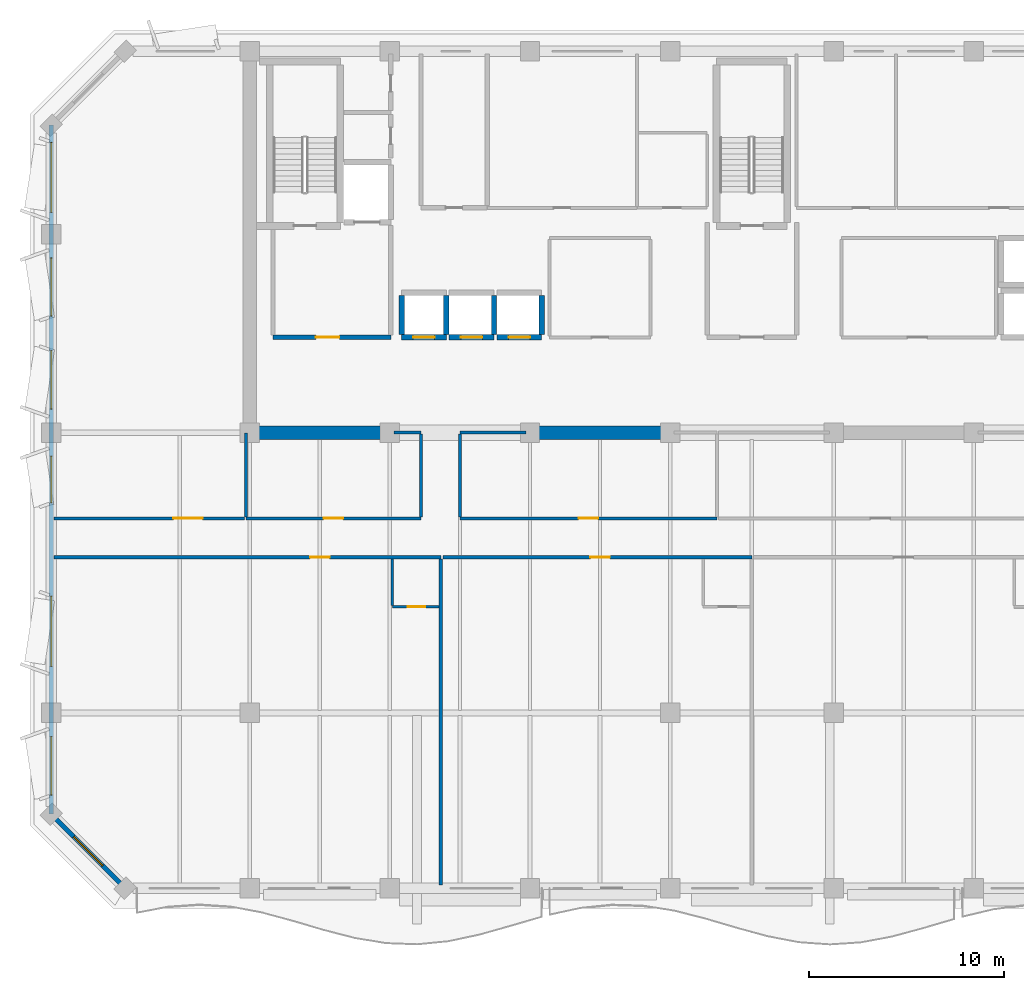
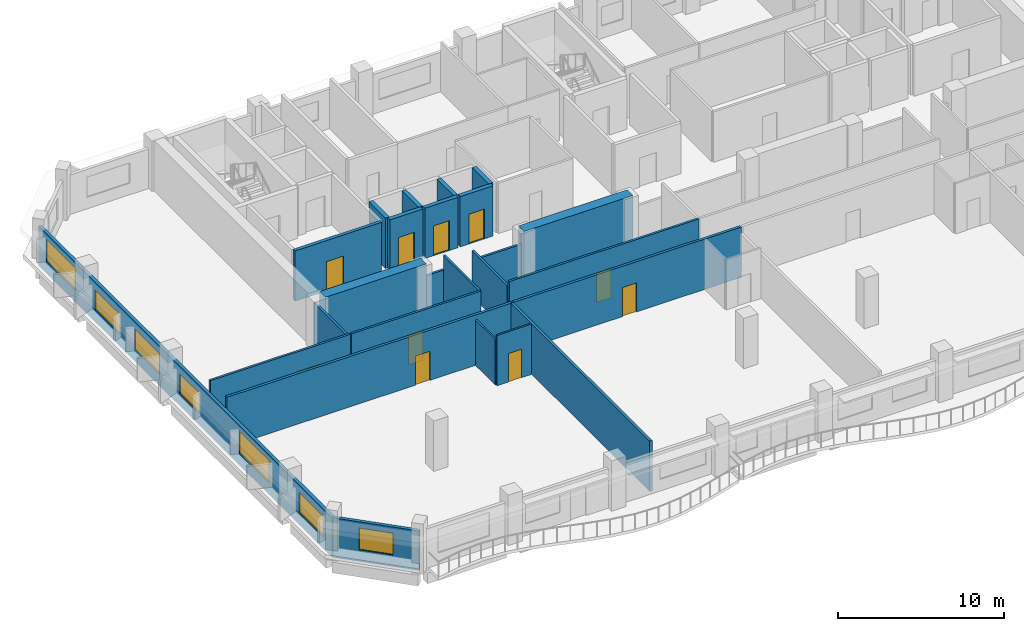
# One storey, part 3 of 11: 25 walls, 10 doors, 7 windows, 17 openings.
"""IFC4 building model written with IfcOpenShell, lengths in metres."""

from ifc_helpers import new_model, si_unit, direction, frame, frame_2d, origin, place, context, subcontext, project, spatial, rectangle, extrude, material, layer, layer_set, type_object, element, fill, save


model = new_model("IFC4")

# Units and contexts
model_context = context("Model", 3, precision=1e-05, world=origin(), true_north=direction((0.0, 1.0)))
body_context = subcontext(model_context, "Body", "Model", "MODEL_VIEW")
ifc_project = project(units=[si_unit("LENGTHUNIT", "METRE"), si_unit("AREAUNIT", "SQUARE_METRE"), si_unit("VOLUMEUNIT", "CUBIC_METRE"), si_unit("PLANEANGLEUNIT", "RADIAN"), si_unit("MASSUNIT", "GRAM", prefix="KILO")], contexts=[model_context])

# Site, building, storey
site_placement = place(None, origin())
site = spatial("IfcSite", under=ifc_project, at=site_placement, CompositionType="ELEMENT")
building_placement = place(site_placement, origin())
building = spatial("IfcBuilding", under=site, at=building_placement, Name="Kaelvorn Grand Hotel", CompositionType="ELEMENT")
storey_placement = place(building_placement, frame((0.0, 0.0, 272.60009765625)))
storey = spatial("IfcBuildingStorey", under=building, at=storey_placement, Name="L67", CompositionType="ELEMENT", Elevation=272.60009765625)

# Walls
ifc_material_1 = material(Name="Concrete C50/60", Category="concrete")
ifc_layer_1 = layer(ifc_material_1, 0.699951171875)
ifc_layer_set_1 = layer_set([ifc_layer_1], Name="Concrete C50/60")
wall_type_1 = type_object("IfcWallType", Name="WL-CORE-700-C50", PredefinedType="SHEAR", material=ifc_layer_set_1)
wall_1_placement = place(storey_placement, frame((16.554931640625, 29.39990234375, 0.0), z_axis=(0.0, 0.0, 1.0), x_axis=(1.0, 0.0, 0.0)))
element("IfcWall", 1, at=wall_1_placement, inside=storey, type_object=wall_type_1, Name="L67 Rear-Core Coupled Shear Pier S1", PredefinedType="SHEAR", context=body_context, shape_type="SweptSolid", body=[
    extrude(rectangle(XDim=7.045166015625, YDim=0.699951171875, at=frame_2d((3.5224609375, 0.0))), origin(), (0.0, 0.0, 1.0), 3.7099609375),
])
wall_2_placement = place(storey_placement, frame((30.39990234375, 29.39990234375, 0.0), z_axis=(0.0, 0.0, 1.0), x_axis=(1.0, 0.0, 0.0)))
element("IfcWall", 2, at=wall_2_placement, inside=storey, type_object=wall_type_1, Name="L67 Rear-Core Coupled Shear Pier S2", PredefinedType="SHEAR", context=body_context, shape_type="SweptSolid", body=[
    extrude(rectangle(XDim=7.60009765625, YDim=0.699951171875, at=frame_2d((3.800048828125, 0.0))), origin(), (0.0, 0.0, 1.0), 3.7099609375),
])

# Wall, openings, windows
ifc_material_2 = material(Name="Concrete C40/50", Category="concrete")
ifc_layer_2 = layer(ifc_material_2, 0.219970703125)
ifc_layer_set_2 = layer_set([ifc_layer_2], Name="Concrete C40/50")
wall_type_2 = type_object("IfcWallType", Name="WL-EXT-220-C40", PredefinedType="SOLIDWALL", material=ifc_layer_set_2)
wall_3_placement = place(storey_placement, frame((6.0, 45.199951171875, 0.0), z_axis=(0.0, 0.0, 1.0), x_axis=(0.0, -1.0, 0.0)))
wall_3 = element("IfcWall", 3, at=wall_3_placement, inside=storey, type_object=wall_type_2, Name="L67 Exterior Architectural Concrete Wall 07", PredefinedType="SOLIDWALL", context=body_context, shape_type="SweptSolid", body=[
    extrude(rectangle(XDim=35.39990234375, YDim=0.219970703125, at=frame_2d((17.699951171875, 0.0))), origin(), (0.0, 0.0, 1.0), 2.909912109375),
])
opening_1_placement = place(wall_3_placement, frame((31.4150390625, 0.0, 0.85009765625)))
opening_1 = element("IfcOpeningElement", 4, at=opening_1_placement, cuts=wall_3, Name="Opening W5", PredefinedType="OPENING", context=body_context, shape_type="SweptSolid", body=[
    extrude(rectangle(XDim=3.0, YDim=1.5, at=frame_2d((1.5, 0.75))), frame((0.0, 0.1201171875, 0.0), z_axis=(0.0, -1.0, 0.0), x_axis=(1.0, 0.0, 0.0)), (0.0, 0.0, 1.0), 0.239990234375),
])
opening_2_placement = place(wall_3_placement, frame((24.199951171875, 0.0, 0.85009765625)))
opening_2 = element("IfcOpeningElement", 5, at=opening_2_placement, cuts=wall_3, Name="Opening W3", PredefinedType="OPENING", context=body_context, shape_type="SweptSolid", body=[
    extrude(rectangle(XDim=3.60009765625, YDim=1.64990234375, at=frame_2d((1.800048828125, 0.824951171875))), frame((0.0, 0.1201171875, 0.0), z_axis=(0.0, -1.0, 0.0), x_axis=(1.0, 0.0, 0.0)), (0.0, 0.0, 1.0), 0.239990234375),
])
opening_3_placement = place(wall_3_placement, frame((17.0, 0.0, 0.85009765625)))
opening_3 = element("IfcOpeningElement", 6, at=opening_3_placement, cuts=wall_3, Name="Opening W6", PredefinedType="OPENING", context=body_context, shape_type="SweptSolid", body=[
    extrude(rectangle(XDim=2.39990234375, YDim=1.5, at=frame_2d((1.199951171875, 0.75))), frame((0.0, 0.1201171875, 0.0), z_axis=(0.0, -1.0, 0.0), x_axis=(1.0, 0.0, 0.0)), (0.0, 0.0, 1.0), 0.239990234375),
])
opening_4_placement = place(wall_3_placement, frame((11.5849609375, 0.0, 0.85009765625)))
opening_4 = element("IfcOpeningElement", 7, at=opening_4_placement, cuts=wall_3, Name="Opening W5", PredefinedType="OPENING", context=body_context, shape_type="SweptSolid", body=[
    extrude(rectangle(XDim=3.0, YDim=1.5, at=frame_2d((1.5, 0.75))), frame((0.0, 0.1201171875, 0.0), z_axis=(0.0, -1.0, 0.0), x_axis=(1.0, 0.0, 0.0)), (0.0, 0.0, 1.0), 0.239990234375),
])
opening_5_placement = place(wall_3_placement, frame((6.81494140625, 0.0, 0.85009765625)))
opening_5 = element("IfcOpeningElement", 8, at=opening_5_placement, cuts=wall_3, Name="Opening W5", PredefinedType="OPENING", context=body_context, shape_type="SweptSolid", body=[
    extrude(rectangle(XDim=3.0, YDim=1.5, at=frame_2d((1.5, 0.75))), frame((0.0, 0.1201171875, 0.0), z_axis=(0.0, -1.0, 0.0), x_axis=(1.0, 0.0, 0.0)), (0.0, 0.0, 1.0), 0.239990234375),
])
opening_6_placement = place(wall_3_placement, frame((0.885009765625, 0.0, 0.85009765625)))
opening_6 = element("IfcOpeningElement", 9, at=opening_6_placement, cuts=wall_3, Name="Opening W3", PredefinedType="OPENING", context=body_context, shape_type="SweptSolid", body=[
    extrude(rectangle(XDim=3.60009765625, YDim=1.64990234375, at=frame_2d((1.800048828125, 0.824951171875))), frame((0.0, 0.1201171875, 0.0), z_axis=(0.0, -1.0, 0.0), x_axis=(1.0, 0.0, 0.0)), (0.0, 0.0, 1.0), 0.239990234375),
])
ifc_material_3 = material(Name="Laminated Low-E Glass", Category="glass")
window_type_1 = type_object("IfcWindowType", Name="WIN-NTH-2400x1500", PartitioningType="SINGLE_PANEL", PredefinedType="WINDOW", material=ifc_material_3)
window_1_placement = place(opening_3_placement, origin())
window_1 = element("IfcWindow", 10, at=window_1_placement, inside=storey, type_object=window_type_1, Name="L67 W Wing Tilted-Frame Ribbon Window W03", OverallHeight=1.5, OverallWidth=2.39990234375, PartitioningType="SINGLE_PANEL", PredefinedType="WINDOW", context=body_context, shape_type="SweptSolid", body=[
    extrude(rectangle(XDim=2.39990234375, YDim=1.5, at=frame_2d((1.199951171875, 0.75))), frame((0.0, 0.030029296875, 0.0), z_axis=(0.0, -1.0, 0.0), x_axis=(1.0, 0.0, 0.0)), (0.0, 0.0, 1.0), 0.06005859375),
])
fill(opening_3, window_1)
window_type_2 = type_object("IfcWindowType", Name="WIN-NTH-3000x1500", PartitioningType="SINGLE_PANEL", PredefinedType="WINDOW", material=ifc_material_3)
window_2_placement = place(opening_1_placement, origin())
window_2 = element("IfcWindow", 11, at=window_2_placement, inside=storey, type_object=window_type_2, Name="L67 W Wing Tilted-Frame Ribbon Window W01", OverallHeight=1.5, OverallWidth=3.0, PartitioningType="SINGLE_PANEL", PredefinedType="WINDOW", context=body_context, shape_type="SweptSolid", body=[
    extrude(rectangle(XDim=3.0, YDim=1.5, at=frame_2d((1.5, 0.75))), frame((0.0, 0.030029296875, 0.0), z_axis=(0.0, -1.0, 0.0), x_axis=(1.0, 0.0, 0.0)), (0.0, 0.0, 1.0), 0.06005859375),
])
fill(opening_1, window_2)
window_3_placement = place(opening_4_placement, origin())
window_3 = element("IfcWindow", 12, at=window_3_placement, inside=storey, type_object=window_type_2, Name="L67 W Wing Tilted-Frame Ribbon Window W04", OverallHeight=1.5, OverallWidth=3.0, PartitioningType="SINGLE_PANEL", PredefinedType="WINDOW", context=body_context, shape_type="SweptSolid", body=[
    extrude(rectangle(XDim=3.0, YDim=1.5, at=frame_2d((1.5, 0.75))), frame((0.0, 0.030029296875, 0.0), z_axis=(0.0, -1.0, 0.0), x_axis=(1.0, 0.0, 0.0)), (0.0, 0.0, 1.0), 0.06005859375),
])
fill(opening_4, window_3)
window_4_placement = place(opening_5_placement, origin())
window_4 = element("IfcWindow", 13, at=window_4_placement, inside=storey, type_object=window_type_2, Name="L67 W Wing Tilted-Frame Ribbon Window W05", OverallHeight=1.5, OverallWidth=3.0, PartitioningType="SINGLE_PANEL", PredefinedType="WINDOW", context=body_context, shape_type="SweptSolid", body=[
    extrude(rectangle(XDim=3.0, YDim=1.5, at=frame_2d((1.5, 0.75))), frame((0.0, 0.030029296875, 0.0), z_axis=(0.0, -1.0, 0.0), x_axis=(1.0, 0.0, 0.0)), (0.0, 0.0, 1.0), 0.06005859375),
])
fill(opening_5, window_4)
window_type_3 = type_object("IfcWindowType", Name="WIN-RIB-3600x1750", PartitioningType="SINGLE_PANEL", PredefinedType="WINDOW", material=ifc_material_3)
window_5_placement = place(opening_2_placement, origin())
window_5 = element("IfcWindow", 14, at=window_5_placement, inside=storey, type_object=window_type_3, Name="L67 W Wing Tilted-Frame Ribbon Window W02", OverallHeight=1.64990234375, OverallWidth=3.60009765625, PartitioningType="SINGLE_PANEL", PredefinedType="WINDOW", context=body_context, shape_type="SweptSolid", body=[
    extrude(rectangle(XDim=3.60009765625, YDim=1.64990234375, at=frame_2d((1.800048828125, 0.824951171875))), frame((0.0, 0.030029296875, 0.0), z_axis=(0.0, -1.0, 0.0), x_axis=(1.0, 0.0, 0.0)), (0.0, 0.0, 1.0), 0.06005859375),
])
fill(opening_2, window_5)
window_6_placement = place(opening_6_placement, origin())
window_6 = element("IfcWindow", 15, at=window_6_placement, inside=storey, type_object=window_type_3, Name="L67 W Wing Tilted-Frame Ribbon Window W06", OverallHeight=1.64990234375, OverallWidth=3.60009765625, PartitioningType="SINGLE_PANEL", PredefinedType="WINDOW", context=body_context, shape_type="SweptSolid", body=[
    extrude(rectangle(XDim=3.60009765625, YDim=1.64990234375, at=frame_2d((1.800048828125, 0.824951171875))), frame((0.0, 0.030029296875, 0.0), z_axis=(0.0, -1.0, 0.0), x_axis=(1.0, 0.0, 0.0)), (0.0, 0.0, 1.0), 0.06005859375),
])
fill(opening_6, window_6)

# Wall, opening, window
wall_4_placement = place(storey_placement, frame((6.0, 9.800048828125, 0.0), z_axis=(0.0, 0.0, 1.0), x_axis=(0.707106781187, -0.707106781187, 0.0)))
wall_4 = element("IfcWall", 16, at=wall_4_placement, inside=storey, type_object=wall_type_2, Name="L67 Exterior Architectural Concrete Wall 08", PredefinedType="SOLIDWALL", context=body_context, shape_type="SweptSolid", body=[
    extrude(rectangle(XDim=5.3740234375, YDim=0.219970703125, at=frame_2d((2.68701171875, 0.0))), origin(), (0.0, 0.0, 1.0), 2.909912109375),
])
opening_7_placement = place(wall_4_placement, frame((1.636962890625, 0.0, 0.85009765625)))
opening_7 = element("IfcOpeningElement", 17, at=opening_7_placement, cuts=wall_4, Name="Opening W7", PredefinedType="OPENING", context=body_context, shape_type="SweptSolid", body=[
    extrude(rectangle(XDim=2.10009765625, YDim=1.60009765625, at=frame_2d((1.050048828125, 0.800048828125))), frame((0.0, 0.1201171875, 0.0), z_axis=(0.0, -1.0, 0.0), x_axis=(1.0, 0.0, 0.0)), (0.0, 0.0, 1.0), 0.239990234375),
])
window_type_4 = type_object("IfcWindowType", Name="WIN-CHM-2100x1600", PartitioningType="SINGLE_PANEL", PredefinedType="WINDOW", material=ifc_material_3)
window_7_placement = place(opening_7_placement, origin())
window_7 = element("IfcWindow", 18, at=window_7_placement, inside=storey, type_object=window_type_4, Name="L67 Chamfered 45-Degree Corner Window SW", OverallHeight=1.60009765625, OverallWidth=2.10009765625, PartitioningType="SINGLE_PANEL", PredefinedType="WINDOW", context=body_context, shape_type="SweptSolid", body=[
    extrude(rectangle(XDim=2.10009765625, YDim=1.60009765625, at=frame_2d((1.050048828125, 0.800048828125))), frame((0.0, 0.030029296875, 0.0), z_axis=(0.0, -1.0, 0.0), x_axis=(1.0, 0.0, 0.0)), (0.0, 0.0, 1.0), 0.06005859375),
])
fill(opening_7, window_7)

# Wall, opening, door
ifc_material_4 = material(Name="Moisture-Resistant Tile & Stud Board")
ifc_layer_3 = layer(ifc_material_4, 0.125)
ifc_layer_set_3 = layer_set([ifc_layer_3], Name="Moisture-Resistant Tile & Stud Board")
wall_type_3 = type_object("IfcWallType", Name="WL-PART-125-WET", PredefinedType="PARTITIONING", material=ifc_layer_set_3)
wall_5_placement = place(storey_placement, frame((23.52490234375, 20.449951171875, 0.0), z_axis=(0.0, 0.0, 1.0), x_axis=(1.0, 0.0, 0.0)))
wall_5 = element("IfcWall", 19, at=wall_5_placement, inside=storey, type_object=wall_type_3, Name="L67 En-suite Bathroom L67-01 S Partition", PredefinedType="PARTITIONING", context=body_context, shape_type="SweptSolid", body=[
    extrude(rectangle(XDim=2.405029296875, YDim=0.125, at=frame_2d((1.20263671875, 0.0))), origin(), (0.0, 0.0, 1.0), 3.7099609375),
])
opening_8_placement = place(wall_5_placement, frame((0.800048828125, 0.0, 0.0)))
opening_8 = element("IfcOpeningElement", 20, at=opening_8_placement, cuts=wall_5, Name="Opening DI4", PredefinedType="OPENING", context=body_context, shape_type="SweptSolid", body=[
    extrude(rectangle(XDim=0.89990234375, YDim=2.10009765625, at=frame_2d((0.449951171875, 1.050048828125))), frame((0.0, 0.072509765625, 0.0), z_axis=(0.0, -1.0, 0.0), x_axis=(1.0, 0.0, 0.0)), (0.0, 0.0, 1.0), 0.14501953125),
])
ifc_material_5 = material(Name="Timber Veneer Leaf", Category="wood")
door_type_1 = type_object("IfcDoorType", Name="DR-INT-BATH-900x2100", OperationType="NOTDEFINED", PredefinedType="DOOR", material=ifc_material_5)
door_1_placement = place(opening_8_placement, origin())
door_1 = element("IfcDoor", 21, at=door_1_placement, inside=storey, type_object=door_type_1, Name="L67 En-suite Bathroom L67-01 Door", OperationType="SINGLE_SWING_LEFT", OverallHeight=2.10009765625, OverallWidth=0.89990234375, PredefinedType="DOOR", context=body_context, shape_type="SweptSolid", body=[
    extrude(rectangle(XDim=0.89990234375, YDim=2.10009765625, at=frame_2d((0.449951171875, 1.050048828125))), frame((0.0, 0.02490234375, 0.0), z_axis=(0.0, -1.0, 0.0), x_axis=(1.0, 0.0, 0.0)), (0.0, 0.0, 1.0), 0.050048828125),
])
fill(opening_8, door_1)

# Wall
wall_6_placement = place(storey_placement, frame((23.52490234375, 20.517578125, 0.0), z_axis=(0.0, 0.0, 1.0), x_axis=(0.0, 1.0, 0.0)))
element("IfcWall", 22, at=wall_6_placement, inside=storey, type_object=wall_type_3, Name="L67 En-suite Bathroom L67-01 W Partition", PredefinedType="PARTITIONING", context=body_context, shape_type="SweptSolid", body=[
    extrude(rectangle(XDim=2.387451171875, YDim=0.125, at=frame_2d((1.19384765625, 0.0))), origin(), (0.0, 0.0, 1.0), 3.349853515625),
])

# Wall, opening, door
ifc_material_6 = material(Name="Acoustic Gypsum & Stud Partition")
ifc_layer_4 = layer(ifc_material_6, 0.14990234375)
ifc_layer_set_4 = layer_set([ifc_layer_4], Name="Acoustic Gypsum & Stud Partition")
wall_type_4 = type_object("IfcWallType", Name="WL-PART-150-EI60", PredefinedType="PARTITIONING", material=ifc_layer_set_4)
wall_7_placement = place(storey_placement, frame((16.0, 25.0, 0.0), z_axis=(0.0, 0.0, 1.0), x_axis=(1.0, 0.0, 0.0)))
wall_7 = element("IfcWall", 23, at=wall_7_placement, inside=storey, type_object=wall_type_4, Name="L67 Wellness Spa Salon S Partition", PredefinedType="PARTITIONING", context=body_context, shape_type="SweptSolid", body=[
    extrude(rectangle(XDim=9.0, YDim=0.14990234375, at=frame_2d((4.5, 0.0))), origin(), (0.0, 0.0, 1.0), 3.7099609375),
])
opening_9_placement = place(wall_7_placement, frame((4.0, 0.0, 0.0)))
opening_9 = element("IfcOpeningElement", 24, at=opening_9_placement, cuts=wall_7, Name="Opening DI3", PredefinedType="OPENING", context=body_context, shape_type="SweptSolid", body=[
    extrude(rectangle(XDim=1.0, YDim=2.14990234375, at=frame_2d((0.5, 1.074951171875))), frame((0.0, 0.0849609375, 0.0), z_axis=(0.0, -1.0, 0.0), x_axis=(1.0, 0.0, 0.0)), (0.0, 0.0, 1.0), 0.169921875),
])
ifc_material_7 = material(Name="Timber Veneer Fire Leaf", Category="wood")
door_type_2 = type_object("IfcDoorType", Name="DR-INT-GUEST-1000x2150", OperationType="NOTDEFINED", PredefinedType="DOOR", material=ifc_material_7)
door_2_placement = place(opening_9_placement, origin())
door_2 = element("IfcDoor", 25, at=door_2_placement, inside=storey, type_object=door_type_2, Name="L67 Wellness Spa Salon Door", OperationType="SINGLE_SWING_RIGHT", OverallHeight=2.14990234375, OverallWidth=1.0, PredefinedType="DOOR", context=body_context, shape_type="SweptSolid", body=[
    extrude(rectangle(XDim=1.0, YDim=2.14990234375, at=frame_2d((0.5, 1.074951171875))), frame((0.0, 0.02490234375, 0.0), z_axis=(0.0, -1.0, 0.0), x_axis=(1.0, 0.0, 0.0)), (0.0, 0.0, 1.0), 0.050048828125),
])
fill(opening_9, door_2)

# Walls
wall_8_placement = place(storey_placement, frame((23.610107421875, 29.39990234375, 0.0), z_axis=(0.0, 0.0, 1.0), x_axis=(1.0, 0.0, 0.0)))
element("IfcWall", 26, at=wall_8_placement, inside=storey, type_object=wall_type_4, Name="L67 Wellness Spa Salon N Partition", PredefinedType="PARTITIONING", context=body_context, shape_type="SweptSolid", body=[
    extrude(rectangle(XDim=1.389892578125, YDim=0.14990234375, at=frame_2d((0.69482421875, 0.0))), origin(), (0.0, 0.0, 1.0), 2.60986328125),
])
wall_9_placement = place(storey_placement, frame((16.0, 25.080078125, 0.0), z_axis=(0.0, 0.0, 1.0), x_axis=(0.0, 1.0, 0.0)))
element("IfcWall", 27, at=wall_9_placement, inside=storey, type_object=wall_type_4, Name="L67 Wellness Spa Salon W Partition", PredefinedType="PARTITIONING", context=body_context, shape_type="SweptSolid", body=[
    extrude(rectangle(XDim=4.309814453125, YDim=0.14990234375, at=frame_2d((2.15478515625, 0.0))), origin(), (0.0, 0.0, 1.0), 3.349853515625),
])
wall_10_placement = place(storey_placement, frame((25.0, 25.080078125, 0.0), z_axis=(0.0, 0.0, 1.0), x_axis=(0.0, 1.0, 0.0)))
element("IfcWall", 28, at=wall_10_placement, inside=storey, type_object=wall_type_4, Name="L67 Wellness Spa Salon E Partition", PredefinedType="PARTITIONING", context=body_context, shape_type="SweptSolid", body=[
    extrude(rectangle(XDim=4.239990234375, YDim=0.14990234375, at=frame_2d((2.1201171875, 0.0))), origin(), (0.0, 0.0, 1.0), 3.7099609375),
])

# Wall, opening, door
wall_11_placement = place(storey_placement, frame((27.0, 25.0, 0.0), z_axis=(0.0, 0.0, 1.0), x_axis=(1.0, 0.0, 0.0)))
wall_11 = element("IfcWall", 29, at=wall_11_placement, inside=storey, type_object=wall_type_4, Name="L67 Guest Pantry Kitchen S Partition", PredefinedType="PARTITIONING", context=body_context, shape_type="SweptSolid", body=[
    extrude(rectangle(XDim=13.199951171875, YDim=0.14990234375, at=frame_2d((6.60009765625, 0.0))), origin(), (0.0, 0.0, 1.0), 3.7099609375),
])
opening_10_placement = place(wall_11_placement, frame((6.10009765625, 0.0, 0.0)))
opening_10 = element("IfcOpeningElement", 30, at=opening_10_placement, cuts=wall_11, Name="Opening DI3", PredefinedType="OPENING", context=body_context, shape_type="SweptSolid", body=[
    extrude(rectangle(XDim=1.0, YDim=2.14990234375, at=frame_2d((0.5, 1.074951171875))), frame((0.0, 0.0849609375, 0.0), z_axis=(0.0, -1.0, 0.0), x_axis=(1.0, 0.0, 0.0)), (0.0, 0.0, 1.0), 0.169921875),
])
door_3_placement = place(opening_10_placement, origin())
door_3 = element("IfcDoor", 31, at=door_3_placement, inside=storey, type_object=door_type_2, Name="L67 Guest Pantry Kitchen Door", OperationType="SINGLE_SWING_LEFT", OverallHeight=2.14990234375, OverallWidth=1.0, PredefinedType="DOOR", context=body_context, shape_type="SweptSolid", body=[
    extrude(rectangle(XDim=1.0, YDim=2.14990234375, at=frame_2d((0.5, 1.074951171875))), frame((0.0, 0.02490234375, 0.0), z_axis=(0.0, -1.0, 0.0), x_axis=(1.0, 0.0, 0.0)), (0.0, 0.0, 1.0), 0.050048828125),
])
fill(opening_10, door_3)

# Walls
wall_12_placement = place(storey_placement, frame((27.0, 29.39990234375, 0.0), z_axis=(0.0, 0.0, 1.0), x_axis=(1.0, 0.0, 0.0)))
element("IfcWall", 32, at=wall_12_placement, inside=storey, type_object=wall_type_4, Name="L67 Guest Pantry Kitchen N Partition (1)", PredefinedType="PARTITIONING", context=body_context, shape_type="SweptSolid", body=[
    extrude(rectangle(XDim=3.389892578125, YDim=0.14990234375, at=frame_2d((1.69482421875, 0.0))), origin(), (0.0, 0.0, 1.0), 2.60986328125),
])
wall_13_placement = place(storey_placement, frame((27.0, 25.080078125, 0.0), z_axis=(0.0, 0.0, 1.0), x_axis=(0.0, 1.0, 0.0)))
element("IfcWall", 33, at=wall_13_placement, inside=storey, type_object=wall_type_4, Name="L67 Guest Pantry Kitchen W Partition", PredefinedType="PARTITIONING", context=body_context, shape_type="SweptSolid", body=[
    extrude(rectangle(XDim=4.239990234375, YDim=0.14990234375, at=frame_2d((2.1201171875, 0.0))), origin(), (0.0, 0.0, 1.0), 3.349853515625),
])

# Wall, opening, door
wall_14_placement = place(storey_placement, frame((6.14990234375, 25.0, 0.0), z_axis=(0.0, 0.0, 1.0), x_axis=(1.0, 0.0, 0.0)))
wall_14 = element("IfcWall", 34, at=wall_14_placement, inside=storey, type_object=wall_type_4, Name="L67 West Sky Executive Meeting Room S Partition", PredefinedType="PARTITIONING", context=body_context, shape_type="SweptSolid", body=[
    extrude(rectangle(XDim=9.77001953125, YDim=0.14990234375, at=frame_2d((4.885009765625, 0.0))), origin(), (0.0, 0.0, 1.0), 3.7099609375),
])
opening_11_placement = place(wall_14_placement, frame((6.1298828125, 0.0, 0.0)))
opening_11 = element("IfcOpeningElement", 35, at=opening_11_placement, cuts=wall_14, Name="Opening DI5", PredefinedType="OPENING", context=body_context, shape_type="SweptSolid", body=[
    extrude(rectangle(XDim=1.5, YDim=2.25, at=frame_2d((0.75, 1.125))), frame((0.0, 0.0849609375, 0.0), z_axis=(0.0, -1.0, 0.0), x_axis=(1.0, 0.0, 0.0)), (0.0, 0.0, 1.0), 0.169921875),
])
door_type_3 = type_object("IfcDoorType", Name="DR-INT-SALON-1500x2250", OperationType="DOUBLE_DOOR_SINGLE_SWING", PredefinedType="DOOR", material=ifc_material_7)
door_4_placement = place(opening_11_placement, origin())
door_4 = element("IfcDoor", 36, at=door_4_placement, inside=storey, type_object=door_type_3, Name="L67 West Sky Executive Meeting Room Door", OperationType="DOUBLE_DOOR_SINGLE_SWING", OverallHeight=2.25, OverallWidth=1.5, PredefinedType="DOOR", context=body_context, shape_type="SweptSolid", body=[
    extrude(rectangle(XDim=1.5, YDim=2.25, at=frame_2d((0.75, 1.125))), frame((0.0, 0.02490234375, 0.0), z_axis=(0.0, -1.0, 0.0), x_axis=(1.0, 0.0, 0.0)), (0.0, 0.0, 1.0), 0.050048828125),
])
fill(opening_11, door_4)

ifc_layer_5 = layer(ifc_material_6, 0.179931640625)
ifc_layer_set_5 = layer_set([ifc_layer_5], Name="Acoustic Gypsum & Stud Partition")
wall_type_5 = type_object("IfcWallType", Name="WL-PART-180-EI60", PredefinedType="PARTITIONING", material=ifc_layer_set_5)
wall_15_placement = place(storey_placement, frame((6.14990234375, 23.0, 0.0), z_axis=(0.0, 0.0, 1.0), x_axis=(1.0, 0.0, 0.0)))
wall_15 = element("IfcWall", 37, at=wall_15_placement, inside=storey, type_object=wall_type_5, Name="L67 Presidential Sky Suite L67-01 N Partition", PredefinedType="PARTITIONING", context=body_context, shape_type="SweptSolid", body=[
    extrude(rectangle(XDim=19.875, YDim=0.179931640625, at=frame_2d((9.9375, 0.0))), origin(), (0.0, 0.0, 1.0), 3.7099609375),
])
opening_12_placement = place(wall_15_placement, frame((13.14990234375, 0.0, 0.0)))
opening_12 = element("IfcOpeningElement", 38, at=opening_12_placement, cuts=wall_15, Name="Opening DI3", PredefinedType="OPENING", context=body_context, shape_type="SweptSolid", body=[
    extrude(rectangle(XDim=1.0, YDim=2.14990234375, at=frame_2d((0.5, 1.074951171875))), frame((0.0, 0.10009765625, 0.0), z_axis=(0.0, -1.0, 0.0), x_axis=(1.0, 0.0, 0.0)), (0.0, 0.0, 1.0), 0.199951171875),
])
door_5_placement = place(opening_12_placement, origin())
door_5 = element("IfcDoor", 39, at=door_5_placement, inside=storey, type_object=door_type_2, Name="L67 Presidential Sky Suite L67-01 Door", OperationType="SINGLE_SWING_RIGHT", OverallHeight=2.14990234375, OverallWidth=1.0, PredefinedType="DOOR", context=body_context, shape_type="SweptSolid", body=[
    extrude(rectangle(XDim=1.0, YDim=2.14990234375, at=frame_2d((0.5, 1.074951171875))), frame((0.0, 0.02490234375, 0.0), z_axis=(0.0, -1.0, 0.0), x_axis=(1.0, 0.0, 0.0)), (0.0, 0.0, 1.0), 0.050048828125),
])
fill(opening_12, door_5)

# Wall
wall_16_placement = place(storey_placement, frame((26.02490234375, 6.14990234375, 0.0), z_axis=(0.0, 0.0, 1.0), x_axis=(0.0, 1.0, 0.0)))
element("IfcWall", 40, at=wall_16_placement, inside=storey, type_object=wall_type_5, Name="L67 Presidential Sky Suite L67-01 E Partition", PredefinedType="PARTITIONING", context=body_context, shape_type="SweptSolid", body=[
    extrude(rectangle(XDim=16.755126953125, YDim=0.179931640625, at=frame_2d((8.37744140625, 0.0))), origin(), (0.0, 0.0, 1.0), 3.7099609375),
])

# Wall, opening, door
wall_17_placement = place(storey_placement, frame((26.1201171875, 23.0, 0.0), z_axis=(0.0, 0.0, 1.0), x_axis=(1.0, 0.0, 0.0)))
wall_17 = element("IfcWall", 41, at=wall_17_placement, inside=storey, type_object=wall_type_5, Name="L67 Presidential Sky Suite L67-02 N Partition", PredefinedType="PARTITIONING", context=body_context, shape_type="SweptSolid", body=[
    extrude(rectangle(XDim=15.8798828125, YDim=0.179931640625, at=frame_2d((7.93994140625, 0.0))), origin(), (0.0, 0.0, 1.0), 3.7099609375),
])
opening_13_placement = place(wall_17_placement, frame((7.580078125, 0.0, 0.0)))
opening_13 = element("IfcOpeningElement", 42, at=opening_13_placement, cuts=wall_17, Name="Opening DI3", PredefinedType="OPENING", context=body_context, shape_type="SweptSolid", body=[
    extrude(rectangle(XDim=1.0, YDim=2.14990234375, at=frame_2d((0.5, 1.074951171875))), frame((0.0, 0.10009765625, 0.0), z_axis=(0.0, -1.0, 0.0), x_axis=(1.0, 0.0, 0.0)), (0.0, 0.0, 1.0), 0.199951171875),
])
door_6_placement = place(opening_13_placement, origin())
door_6 = element("IfcDoor", 43, at=door_6_placement, inside=storey, type_object=door_type_2, Name="L67 Presidential Sky Suite L67-02 Door", OperationType="SINGLE_SWING_RIGHT", OverallHeight=2.14990234375, OverallWidth=1.0, PredefinedType="DOOR", context=body_context, shape_type="SweptSolid", body=[
    extrude(rectangle(XDim=1.0, YDim=2.14990234375, at=frame_2d((0.5, 1.074951171875))), frame((0.0, 0.02490234375, 0.0), z_axis=(0.0, -1.0, 0.0), x_axis=(1.0, 0.0, 0.0)), (0.0, 0.0, 1.0), 0.050048828125),
])
fill(opening_13, door_6)

ifc_layer_6 = layer(ifc_material_2, 0.219970703125)
ifc_layer_set_6 = layer_set([ifc_layer_6], Name="Concrete C40/50")
wall_type_6 = type_object("IfcWallType", Name="WL-PART-220-EI120", PredefinedType="PARTITIONING", material=ifc_layer_set_6)
wall_18_placement = place(storey_placement, frame((17.39990234375, 34.300048828125, 0.0), z_axis=(0.0, 0.0, 1.0), x_axis=(1.0, 0.0, 0.0)))
wall_18 = element("IfcWall", 44, at=wall_18_placement, inside=storey, type_object=wall_type_6, Name="L67 Firefighting Lift Lobby 1 S Partition", PredefinedType="PARTITIONING", context=body_context, shape_type="SweptSolid", body=[
    extrude(rectangle(XDim=6.050048828125, YDim=0.219970703125, at=frame_2d((3.02490234375, 0.0))), origin(), (0.0, 0.0, 1.0), 3.7099609375),
])
opening_14_placement = place(wall_18_placement, frame((2.199951171875, 0.0, 0.0)))
opening_14 = element("IfcOpeningElement", 45, at=opening_14_placement, cuts=wall_18, Name="Opening DI2", PredefinedType="OPENING", context=body_context, shape_type="SweptSolid", body=[
    extrude(rectangle(XDim=1.199951171875, YDim=2.14990234375, at=frame_2d((0.60009765625, 1.074951171875))), frame((0.0, 0.1201171875, 0.0), z_axis=(0.0, -1.0, 0.0), x_axis=(1.0, 0.0, 0.0)), (0.0, 0.0, 1.0), 0.239990234375),
])
door_type_4 = type_object("IfcDoorType", Name="DR-INT-FFLOB-1200x2150", OperationType="NOTDEFINED", PredefinedType="DOOR", material=ifc_material_7)
door_7_placement = place(opening_14_placement, origin())
door_7 = element("IfcDoor", 46, at=door_7_placement, inside=storey, type_object=door_type_4, Name="L67 Firefighting Lift Lobby 1 Door", OperationType="SINGLE_SWING_LEFT", OverallHeight=2.14990234375, OverallWidth=1.199951171875, PredefinedType="DOOR", context=body_context, shape_type="SweptSolid", body=[
    extrude(rectangle(XDim=1.199951171875, YDim=2.14990234375, at=frame_2d((0.60009765625, 1.074951171875))), frame((0.0, 0.02490234375, 0.0), z_axis=(0.0, -1.0, 0.0), x_axis=(1.0, 0.0, 0.0)), (0.0, 0.0, 1.0), 0.050048828125),
])
fill(opening_14, door_7)

ifc_layer_7 = layer(ifc_material_1, 0.280029296875)
ifc_layer_set_7 = layer_set([ifc_layer_7], Name="Concrete C50/60")
wall_type_7 = type_object("IfcWallType", Name="WL-SHAFT-280-C50", PredefinedType="SHEAR", material=ifc_layer_set_7)
wall_19_placement = place(storey_placement, frame((24.0, 34.300048828125, 0.0), z_axis=(0.0, 0.0, 1.0), x_axis=(1.0, 0.0, 0.0)))
wall_19 = element("IfcWall", 47, at=wall_19_placement, inside=storey, type_object=wall_type_7, Name="L67 Lift PL-H1 Shaft South Wall", PredefinedType="SHEAR", context=body_context, shape_type="SweptSolid", body=[
    extrude(rectangle(XDim=2.300048828125, YDim=0.280029296875, at=frame_2d((1.14990234375, 0.0))), origin(), (0.0, 0.0, 1.0), 3.7099609375),
])
opening_15_placement = place(wall_19_placement, frame((0.60009765625, 0.0, 0.0)))
opening_15 = element("IfcOpeningElement", 48, at=opening_15_placement, cuts=wall_19, Name="Opening LD-PL-H1", PredefinedType="OPENING", context=body_context, shape_type="SweptSolid", body=[
    extrude(rectangle(XDim=1.10009765625, YDim=2.199951171875, at=frame_2d((0.550048828125, 1.10009765625))), frame((0.0, 0.14990234375, 0.0), z_axis=(0.0, -1.0, 0.0), x_axis=(1.0, 0.0, 0.0)), (0.0, 0.0, 1.0), 0.300048828125),
])
ifc_material_8 = material(Name="Stainless Steel", Category="steel")
door_type_5 = type_object("IfcDoorType", Name="DR-LIFT-PASS-1100x2200", OperationType="DOUBLE_DOOR_SLIDING", PredefinedType="DOOR", material=ifc_material_8)
door_8_placement = place(opening_15_placement, origin())
door_8 = element("IfcDoor", 49, at=door_8_placement, inside=storey, type_object=door_type_5, Name="L67 Lift PL-H1 Sliding Landing Door LD-PL-H1", OperationType="DOUBLE_DOOR_SLIDING", OverallHeight=2.199951171875, OverallWidth=1.10009765625, PredefinedType="DOOR", context=body_context, shape_type="SweptSolid", body=[
    extrude(rectangle(XDim=1.10009765625, YDim=2.199951171875, at=frame_2d((0.550048828125, 1.10009765625))), frame((0.0, 0.02490234375, 0.0), z_axis=(0.0, -1.0, 0.0), x_axis=(1.0, 0.0, 0.0)), (0.0, 0.0, 1.0), 0.050048828125),
])
fill(opening_15, door_8)

# Walls
for number, where, z_axis, x_axis, name in (
    (50, (24.0, 34.445068359375, 0.0), (0.0, 0.0, 1.0), (0.0, 1.0, 0.0), "L67 Lift PL-H1 Shaft West Wall"),
    (51, (26.300048828125, 34.445068359375, 0.0), (0.0, 0.0, 1.0), (0.0, 1.0, 0.0), "L67 Lift PL-H1 Shaft East Wall"),
):
    element("IfcWall", number, at=place(storey_placement, frame(where, z_axis=z_axis, x_axis=x_axis)), inside=storey, type_object=wall_type_7, Name=name, PredefinedType="SHEAR", context=body_context, shape_type="SweptSolid", body=[
        extrude(rectangle(XDim=2.010009765625, YDim=0.280029296875, at=frame_2d((1.0048828125, 0.0))), origin(), (0.0, 0.0, 1.0), 3.7099609375),
    ])

# Wall, opening, door
wall_20_placement = place(storey_placement, frame((26.449951171875, 34.300048828125, 0.0), z_axis=(0.0, 0.0, 1.0), x_axis=(1.0, 0.0, 0.0)))
wall_20 = element("IfcWall", 52, at=wall_20_placement, inside=storey, type_object=wall_type_7, Name="L67 Lift PL-H2 Shaft South Wall", PredefinedType="SHEAR", context=body_context, shape_type="SweptSolid", body=[
    extrude(rectangle(XDim=2.300048828125, YDim=0.280029296875, at=frame_2d((1.14990234375, 0.0))), origin(), (0.0, 0.0, 1.0), 3.7099609375),
])
opening_16_placement = place(wall_20_placement, frame((0.60009765625, 0.0, 0.0)))
opening_16 = element("IfcOpeningElement", 53, at=opening_16_placement, cuts=wall_20, Name="Opening LD-PL-H2", PredefinedType="OPENING", context=body_context, shape_type="SweptSolid", body=[
    extrude(rectangle(XDim=1.10009765625, YDim=2.199951171875, at=frame_2d((0.550048828125, 1.10009765625))), frame((0.0, 0.14990234375, 0.0), z_axis=(0.0, -1.0, 0.0), x_axis=(1.0, 0.0, 0.0)), (0.0, 0.0, 1.0), 0.300048828125),
])
door_9_placement = place(opening_16_placement, origin())
door_9 = element("IfcDoor", 54, at=door_9_placement, inside=storey, type_object=door_type_5, Name="L67 Lift PL-H2 Sliding Landing Door LD-PL-H2", OperationType="DOUBLE_DOOR_SLIDING", OverallHeight=2.199951171875, OverallWidth=1.10009765625, PredefinedType="DOOR", context=body_context, shape_type="SweptSolid", body=[
    extrude(rectangle(XDim=1.10009765625, YDim=2.199951171875, at=frame_2d((0.550048828125, 1.10009765625))), frame((0.0, 0.02490234375, 0.0), z_axis=(0.0, -1.0, 0.0), x_axis=(1.0, 0.0, 0.0)), (0.0, 0.0, 1.0), 0.050048828125),
])
fill(opening_16, door_9)

# Wall
wall_21_placement = place(storey_placement, frame((28.75, 34.445068359375, 0.0), z_axis=(0.0, 0.0, 1.0), x_axis=(0.0, 1.0, 0.0)))
element("IfcWall", 55, at=wall_21_placement, inside=storey, type_object=wall_type_7, Name="L67 Lift PL-H2 Shaft East Wall", PredefinedType="SHEAR", context=body_context, shape_type="SweptSolid", body=[
    extrude(rectangle(XDim=2.010009765625, YDim=0.280029296875, at=frame_2d((1.0048828125, 0.0))), origin(), (0.0, 0.0, 1.0), 3.7099609375),
])

# Wall, opening, door
wall_22_placement = place(storey_placement, frame((28.89990234375, 34.300048828125, 0.0), z_axis=(0.0, 0.0, 1.0), x_axis=(1.0, 0.0, 0.0)))
wall_22 = element("IfcWall", 56, at=wall_22_placement, inside=storey, type_object=wall_type_7, Name="L67 Lift PL-H3 Shaft South Wall", PredefinedType="SHEAR", context=body_context, shape_type="SweptSolid", body=[
    extrude(rectangle(XDim=2.300048828125, YDim=0.280029296875, at=frame_2d((1.14990234375, 0.0))), origin(), (0.0, 0.0, 1.0), 3.7099609375),
])
opening_17_placement = place(wall_22_placement, frame((0.60009765625, 0.0, 0.0)))
opening_17 = element("IfcOpeningElement", 57, at=opening_17_placement, cuts=wall_22, Name="Opening LD-PL-H3", PredefinedType="OPENING", context=body_context, shape_type="SweptSolid", body=[
    extrude(rectangle(XDim=1.10009765625, YDim=2.199951171875, at=frame_2d((0.550048828125, 1.10009765625))), frame((0.0, 0.14990234375, 0.0), z_axis=(0.0, -1.0, 0.0), x_axis=(1.0, 0.0, 0.0)), (0.0, 0.0, 1.0), 0.300048828125),
])
door_10_placement = place(opening_17_placement, origin())
door_10 = element("IfcDoor", 58, at=door_10_placement, inside=storey, type_object=door_type_5, Name="L67 Lift PL-H3 Sliding Landing Door LD-PL-H3", OperationType="DOUBLE_DOOR_SLIDING", OverallHeight=2.199951171875, OverallWidth=1.10009765625, PredefinedType="DOOR", context=body_context, shape_type="SweptSolid", body=[
    extrude(rectangle(XDim=1.10009765625, YDim=2.199951171875, at=frame_2d((0.550048828125, 1.10009765625))), frame((0.0, 0.02490234375, 0.0), z_axis=(0.0, -1.0, 0.0), x_axis=(1.0, 0.0, 0.0)), (0.0, 0.0, 1.0), 0.050048828125),
])
fill(opening_17, door_10)

# Wall
wall_23_placement = place(storey_placement, frame((31.199951171875, 34.445068359375, 0.0), z_axis=(0.0, 0.0, 1.0), x_axis=(0.0, 1.0, 0.0)))
element("IfcWall", 59, at=wall_23_placement, inside=storey, type_object=wall_type_7, Name="L67 Lift PL-H3 Shaft East Wall", PredefinedType="SHEAR", context=body_context, shape_type="SweptSolid", body=[
    extrude(rectangle(XDim=2.010009765625, YDim=0.280029296875, at=frame_2d((1.0048828125, 0.0))), origin(), (0.0, 0.0, 1.0), 3.7099609375),
])

save(model, "model.ifc")
